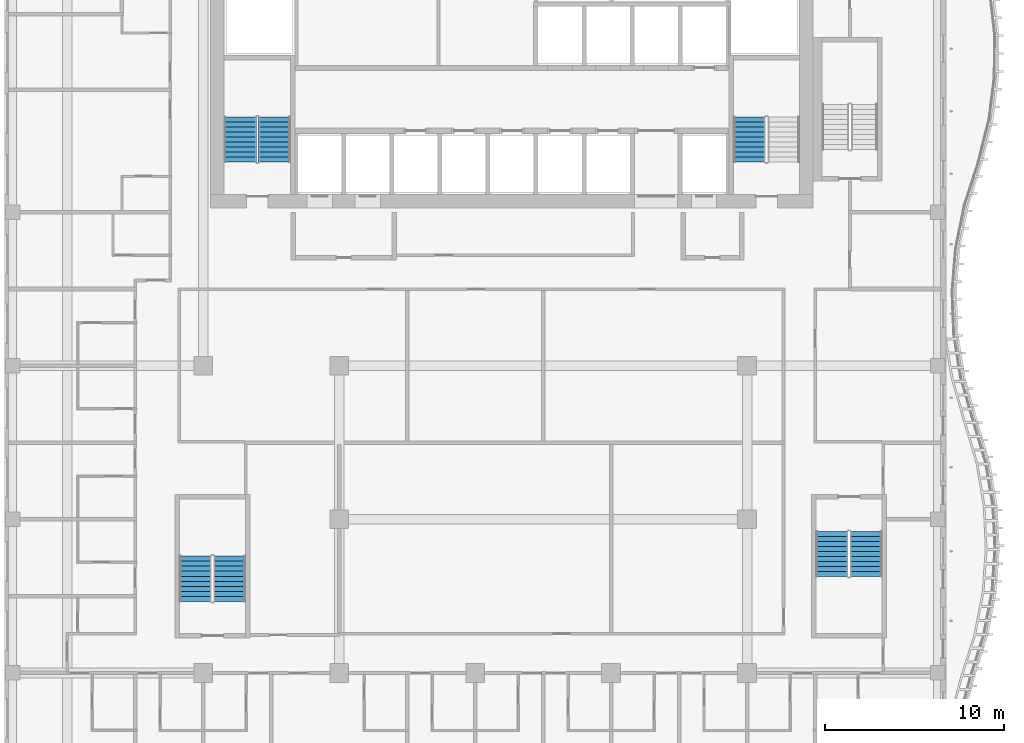
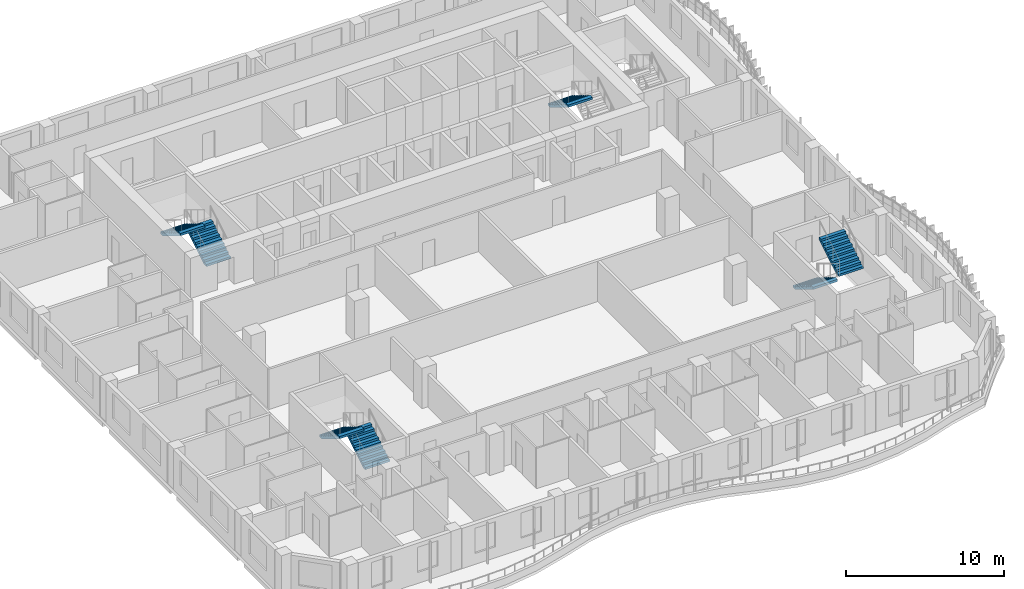
# One storey, part 11 of 22: 7 stair flights, 4 elements without a shape of their own.
"""IFC4 building model written with IfcOpenShell, lengths in metres."""

from ifc_helpers import new_model, si_unit, direction, frame, origin, place, context, subcontext, project, spatial, triangles, source, transform, mapped, material, type_object, element, aggregate, save


model = new_model("IFC4")

# Units and contexts
model_context = context("Model", 3, precision=1e-05, world=origin(), true_north=direction((0.0, 1.0)))
body_context = subcontext(model_context, "Body", "Model", "MODEL_VIEW")
ifc_project = project(units=[si_unit("LENGTHUNIT", "METRE"), si_unit("AREAUNIT", "SQUARE_METRE"), si_unit("VOLUMEUNIT", "CUBIC_METRE"), si_unit("PLANEANGLEUNIT", "RADIAN"), si_unit("MASSUNIT", "GRAM", prefix="KILO")], contexts=[model_context])

# Site, building, storey
site_placement = place(None, origin())
site = spatial("IfcSite", under=ifc_project, at=site_placement, CompositionType="ELEMENT")
building_placement = place(site_placement, origin())
building = spatial("IfcBuilding", under=site, at=building_placement, Name="Kilnfold Tower and Market Hall", CompositionType="ELEMENT")
storey_placement = place(building_placement, frame((0.0, 0.0, 188.89990234375)))
storey = spatial("IfcBuildingStorey", under=building, at=storey_placement, Name="L45", CompositionType="ELEMENT", Elevation=188.89990234375)

# Stair, stair flights
ifc_material_1 = material(Name="Concrete C40/50", Category="concrete")
stair_type = type_object("IfcStairType", Name="CORE STAIR 1800", PredefinedType="HALF_TURN_STAIR", material=ifc_material_1)
stair_1_placement = place(storey_placement, origin())
stair_1 = element("IfcStair", 1, at=stair_1_placement, inside=storey, type_object=stair_type, Name="L45 ST1", PredefinedType="HALF_TURN_STAIR")
ifc_material_2 = material(Name="Concrete C40/50", Category="concrete")
stair_flight_type = type_object("IfcStairFlightType", Name="CORE STAIR FLIGHT 1800", PredefinedType="STRAIGHT", material=ifc_material_2)
shared_shape = source(origin(), body_context, "Body", "Tessellation", [
    triangles([(0.0, 0.89990234375, 0.0), (0.0, 0.78759765625, 0.0), (0.0, 0.675048828125, 0.0), (0.0, 0.5625, 0.0), (0.0, 0.449951171875, 0.0), (0.0, 0.33740234375, 0.0), (0.0, 0.22509765625, 0.0), (0.0, 0.112548828125, 0.0), (0.0, 0.0, 0.0), (0.0, -0.112548828125, 0.0), (0.0, -0.22509765625, 0.0), (0.0, -0.33740234375, 0.0), (0.0, -0.449951171875, 0.0), (0.0, -0.5625, 0.0), (0.0, -0.675048828125, 0.0), (0.0, -0.78759765625, 0.0), (0.0, -0.89990234375, 0.0), (0.0, 0.89990234375, 0.169921875), (0.0, 0.78759765625, 0.169921875), (0.0, 0.675048828125, 0.169921875), (0.0, 0.5625, 0.169921875), (0.0, 0.449951171875, 0.169921875), (0.0, 0.33740234375, 0.169921875), (0.0, 0.22509765625, 0.169921875), (0.0, 0.112548828125, 0.169921875), (0.0, 0.0, 0.169921875), (0.0, -0.112548828125, 0.169921875), (0.0, -0.22509765625, 0.169921875), (0.0, -0.33740234375, 0.169921875), (0.0, -0.449951171875, 0.169921875), (0.0, -0.5625, 0.169921875), (0.0, -0.675048828125, 0.169921875), (0.0, -0.78759765625, 0.169921875), (0.0, -0.89990234375, 0.169921875), (0.280029296875, 0.89990234375, 0.169921875), (0.280029296875, 0.78759765625, 0.169921875), (0.280029296875, 0.675048828125, 0.169921875), (0.280029296875, 0.5625, 0.169921875), (0.280029296875, 0.449951171875, 0.169921875), (0.280029296875, 0.33740234375, 0.169921875), (0.280029296875, 0.22509765625, 0.169921875), (0.280029296875, 0.112548828125, 0.169921875), (0.280029296875, 0.0, 0.169921875), (0.280029296875, -0.112548828125, 0.169921875), (0.280029296875, -0.22509765625, 0.169921875), (0.280029296875, -0.33740234375, 0.169921875), (0.280029296875, -0.449951171875, 0.169921875), (0.280029296875, -0.5625, 0.169921875), (0.280029296875, -0.675048828125, 0.169921875), (0.280029296875, -0.78759765625, 0.169921875), (0.280029296875, -0.89990234375, 0.169921875), (0.280029296875, 0.89990234375, 0.340087890625), (0.280029296875, 0.78759765625, 0.340087890625), (0.280029296875, 0.675048828125, 0.340087890625), (0.280029296875, 0.5625, 0.340087890625), (0.280029296875, 0.449951171875, 0.340087890625), (0.280029296875, 0.33740234375, 0.340087890625), (0.280029296875, 0.22509765625, 0.340087890625), (0.280029296875, 0.112548828125, 0.340087890625), (0.280029296875, 0.0, 0.340087890625), (0.280029296875, -0.112548828125, 0.340087890625), (0.280029296875, -0.22509765625, 0.340087890625), (0.280029296875, -0.33740234375, 0.340087890625), (0.280029296875, -0.449951171875, 0.340087890625), (0.280029296875, -0.5625, 0.340087890625), (0.280029296875, -0.675048828125, 0.340087890625), (0.280029296875, -0.78759765625, 0.340087890625), (0.280029296875, -0.89990234375, 0.340087890625), (0.56005859375, 0.89990234375, 0.340087890625), (0.56005859375, 0.78759765625, 0.340087890625), (0.56005859375, 0.675048828125, 0.340087890625), (0.56005859375, 0.5625, 0.340087890625), (0.56005859375, 0.449951171875, 0.340087890625), (0.56005859375, 0.33740234375, 0.340087890625), (0.56005859375, 0.22509765625, 0.340087890625), (0.56005859375, 0.112548828125, 0.340087890625), (0.56005859375, 0.0, 0.340087890625), (0.56005859375, -0.112548828125, 0.340087890625), (0.56005859375, -0.22509765625, 0.340087890625), (0.56005859375, -0.33740234375, 0.340087890625), (0.56005859375, -0.449951171875, 0.340087890625), (0.56005859375, -0.5625, 0.340087890625), (0.56005859375, -0.675048828125, 0.340087890625), (0.56005859375, -0.78759765625, 0.340087890625), (0.56005859375, -0.89990234375, 0.340087890625), (0.56005859375, 0.89990234375, 0.510009765625), (0.56005859375, 0.78759765625, 0.510009765625), (0.56005859375, 0.675048828125, 0.510009765625), (0.56005859375, 0.5625, 0.510009765625), (0.56005859375, 0.449951171875, 0.510009765625), (0.56005859375, 0.33740234375, 0.510009765625), (0.56005859375, 0.22509765625, 0.510009765625), (0.56005859375, 0.112548828125, 0.510009765625), (0.56005859375, 0.0, 0.510009765625), (0.56005859375, -0.112548828125, 0.510009765625), (0.56005859375, -0.22509765625, 0.510009765625), (0.56005859375, -0.33740234375, 0.510009765625), (0.56005859375, -0.449951171875, 0.510009765625), (0.56005859375, -0.5625, 0.510009765625), (0.56005859375, -0.675048828125, 0.510009765625), (0.56005859375, -0.78759765625, 0.510009765625), (0.56005859375, -0.89990234375, 0.510009765625), (0.840087890625, 0.89990234375, 0.510009765625), (0.840087890625, 0.78759765625, 0.510009765625), (0.840087890625, 0.675048828125, 0.510009765625), (0.840087890625, 0.5625, 0.510009765625), (0.840087890625, 0.449951171875, 0.510009765625), (0.840087890625, 0.33740234375, 0.510009765625), (0.840087890625, 0.22509765625, 0.510009765625), (0.840087890625, 0.112548828125, 0.510009765625), (0.840087890625, 0.0, 0.510009765625), (0.840087890625, -0.112548828125, 0.510009765625), (0.840087890625, -0.22509765625, 0.510009765625), (0.840087890625, -0.33740234375, 0.510009765625), (0.840087890625, -0.449951171875, 0.510009765625), (0.840087890625, -0.5625, 0.510009765625), (0.840087890625, -0.675048828125, 0.510009765625), (0.840087890625, -0.78759765625, 0.510009765625), (0.840087890625, -0.89990234375, 0.510009765625), (0.840087890625, 0.89990234375, 0.679931640625), (0.840087890625, 0.78759765625, 0.679931640625), (0.840087890625, 0.675048828125, 0.679931640625), (0.840087890625, 0.5625, 0.679931640625), (0.840087890625, 0.449951171875, 0.679931640625), (0.840087890625, 0.33740234375, 0.679931640625), (0.840087890625, 0.22509765625, 0.679931640625), (0.840087890625, 0.112548828125, 0.679931640625), (0.840087890625, 0.0, 0.679931640625), (0.840087890625, -0.112548828125, 0.679931640625), (0.840087890625, -0.22509765625, 0.679931640625), (0.840087890625, -0.33740234375, 0.679931640625), (0.840087890625, -0.449951171875, 0.679931640625), (0.840087890625, -0.5625, 0.679931640625), (0.840087890625, -0.675048828125, 0.679931640625), (0.840087890625, -0.78759765625, 0.679931640625), (0.840087890625, -0.89990234375, 0.679931640625), (1.1201171875, 0.89990234375, 0.679931640625), (1.1201171875, 0.78759765625, 0.679931640625), (1.1201171875, 0.675048828125, 0.679931640625), (1.1201171875, 0.5625, 0.679931640625), (1.1201171875, 0.449951171875, 0.679931640625), (1.1201171875, 0.33740234375, 0.679931640625), (1.1201171875, 0.22509765625, 0.679931640625), (1.1201171875, 0.112548828125, 0.679931640625), (1.1201171875, 0.0, 0.679931640625), (1.1201171875, -0.112548828125, 0.679931640625), (1.1201171875, -0.22509765625, 0.679931640625), (1.1201171875, -0.33740234375, 0.679931640625), (1.1201171875, -0.449951171875, 0.679931640625), (1.1201171875, -0.5625, 0.679931640625), (1.1201171875, -0.675048828125, 0.679931640625), (1.1201171875, -0.78759765625, 0.679931640625), (1.1201171875, -0.89990234375, 0.679931640625), (1.1201171875, 0.89990234375, 0.85009765625), (1.1201171875, 0.78759765625, 0.85009765625), (1.1201171875, 0.675048828125, 0.85009765625), (1.1201171875, 0.5625, 0.85009765625), (1.1201171875, 0.449951171875, 0.85009765625), (1.1201171875, 0.33740234375, 0.85009765625), (1.1201171875, 0.22509765625, 0.85009765625), (1.1201171875, 0.112548828125, 0.85009765625), (1.1201171875, 0.0, 0.85009765625), (1.1201171875, -0.112548828125, 0.85009765625), (1.1201171875, -0.22509765625, 0.85009765625), (1.1201171875, -0.33740234375, 0.85009765625), (1.1201171875, -0.449951171875, 0.85009765625), (1.1201171875, -0.5625, 0.85009765625), (1.1201171875, -0.675048828125, 0.85009765625), (1.1201171875, -0.78759765625, 0.85009765625), (1.1201171875, -0.89990234375, 0.85009765625), (1.39990234375, 0.89990234375, 0.85009765625), (1.39990234375, 0.78759765625, 0.85009765625), (1.39990234375, 0.675048828125, 0.85009765625), (1.39990234375, 0.5625, 0.85009765625), (1.39990234375, 0.449951171875, 0.85009765625), (1.39990234375, 0.33740234375, 0.85009765625), (1.39990234375, 0.22509765625, 0.85009765625), (1.39990234375, 0.112548828125, 0.85009765625), (1.39990234375, 0.0, 0.85009765625), (1.39990234375, -0.112548828125, 0.85009765625), (1.39990234375, -0.22509765625, 0.85009765625), (1.39990234375, -0.33740234375, 0.85009765625), (1.39990234375, -0.449951171875, 0.85009765625), (1.39990234375, -0.5625, 0.85009765625), (1.39990234375, -0.675048828125, 0.85009765625), (1.39990234375, -0.78759765625, 0.85009765625), (1.39990234375, -0.89990234375, 0.85009765625), (1.39990234375, 0.89990234375, 1.02001953125), (1.39990234375, 0.78759765625, 1.02001953125), (1.39990234375, 0.675048828125, 1.02001953125), (1.39990234375, 0.5625, 1.02001953125), (1.39990234375, 0.449951171875, 1.02001953125), (1.39990234375, 0.33740234375, 1.02001953125), (1.39990234375, 0.22509765625, 1.02001953125), (1.39990234375, 0.112548828125, 1.02001953125), (1.39990234375, 0.0, 1.02001953125), (1.39990234375, -0.112548828125, 1.02001953125), (1.39990234375, -0.22509765625, 1.02001953125), (1.39990234375, -0.33740234375, 1.02001953125), (1.39990234375, -0.449951171875, 1.02001953125), (1.39990234375, -0.5625, 1.02001953125), (1.39990234375, -0.675048828125, 1.02001953125), (1.39990234375, -0.78759765625, 1.02001953125), (1.39990234375, -0.89990234375, 1.02001953125), (1.679931640625, 0.89990234375, 1.02001953125), (1.679931640625, 0.78759765625, 1.02001953125), (1.679931640625, 0.675048828125, 1.02001953125), (1.679931640625, 0.5625, 1.02001953125), (1.679931640625, 0.449951171875, 1.02001953125), (1.679931640625, 0.33740234375, 1.02001953125), (1.679931640625, 0.22509765625, 1.02001953125), (1.679931640625, 0.112548828125, 1.02001953125), (1.679931640625, 0.0, 1.02001953125), (1.679931640625, -0.112548828125, 1.02001953125), (1.679931640625, -0.22509765625, 1.02001953125), (1.679931640625, -0.33740234375, 1.02001953125), (1.679931640625, -0.449951171875, 1.02001953125), (1.679931640625, -0.5625, 1.02001953125), (1.679931640625, -0.675048828125, 1.02001953125), (1.679931640625, -0.78759765625, 1.02001953125), (1.679931640625, -0.89990234375, 1.02001953125), (1.679931640625, 0.89990234375, 1.18994140625), (1.679931640625, 0.78759765625, 1.18994140625), (1.679931640625, 0.675048828125, 1.18994140625), (1.679931640625, 0.5625, 1.18994140625), (1.679931640625, 0.449951171875, 1.18994140625), (1.679931640625, 0.33740234375, 1.18994140625), (1.679931640625, 0.22509765625, 1.18994140625), (1.679931640625, 0.112548828125, 1.18994140625), (1.679931640625, 0.0, 1.18994140625), (1.679931640625, -0.112548828125, 1.18994140625), (1.679931640625, -0.22509765625, 1.18994140625), (1.679931640625, -0.33740234375, 1.18994140625), (1.679931640625, -0.449951171875, 1.18994140625), (1.679931640625, -0.5625, 1.18994140625), (1.679931640625, -0.675048828125, 1.18994140625), (1.679931640625, -0.78759765625, 1.18994140625), (1.679931640625, -0.89990234375, 1.18994140625), (1.9599609375, 0.89990234375, 1.18994140625), (1.9599609375, 0.78759765625, 1.18994140625), (1.9599609375, 0.675048828125, 1.18994140625), (1.9599609375, 0.5625, 1.18994140625), (1.9599609375, 0.449951171875, 1.18994140625), (1.9599609375, 0.33740234375, 1.18994140625), (1.9599609375, 0.22509765625, 1.18994140625), (1.9599609375, 0.112548828125, 1.18994140625), (1.9599609375, 0.0, 1.18994140625), (1.9599609375, -0.112548828125, 1.18994140625), (1.9599609375, -0.22509765625, 1.18994140625), (1.9599609375, -0.33740234375, 1.18994140625), (1.9599609375, -0.449951171875, 1.18994140625), (1.9599609375, -0.5625, 1.18994140625), (1.9599609375, -0.675048828125, 1.18994140625), (1.9599609375, -0.78759765625, 1.18994140625), (1.9599609375, -0.89990234375, 1.18994140625), (1.9599609375, 0.89990234375, 1.360107421875), (1.9599609375, 0.78759765625, 1.360107421875), (1.9599609375, 0.675048828125, 1.360107421875), (1.9599609375, 0.5625, 1.360107421875), (1.9599609375, 0.449951171875, 1.360107421875), (1.9599609375, 0.33740234375, 1.360107421875), (1.9599609375, 0.22509765625, 1.360107421875), (1.9599609375, 0.112548828125, 1.360107421875), (1.9599609375, 0.0, 1.360107421875), (1.9599609375, -0.112548828125, 1.360107421875), (1.9599609375, -0.22509765625, 1.360107421875), (1.9599609375, -0.33740234375, 1.360107421875), (1.9599609375, -0.449951171875, 1.360107421875), (1.9599609375, -0.5625, 1.360107421875), (1.9599609375, -0.675048828125, 1.360107421875), (1.9599609375, -0.78759765625, 1.360107421875), (1.9599609375, -0.89990234375, 1.360107421875), (2.239990234375, 0.89990234375, 1.360107421875), (2.239990234375, 0.78759765625, 1.360107421875), (2.239990234375, 0.675048828125, 1.360107421875), (2.239990234375, 0.5625, 1.360107421875), (2.239990234375, 0.449951171875, 1.360107421875), (2.239990234375, 0.33740234375, 1.360107421875), (2.239990234375, 0.22509765625, 1.360107421875), (2.239990234375, 0.112548828125, 1.360107421875), (2.239990234375, 0.0, 1.360107421875), (2.239990234375, -0.112548828125, 1.360107421875), (2.239990234375, -0.22509765625, 1.360107421875), (2.239990234375, -0.33740234375, 1.360107421875), (2.239990234375, -0.449951171875, 1.360107421875), (2.239990234375, -0.5625, 1.360107421875), (2.239990234375, -0.675048828125, 1.360107421875), (2.239990234375, -0.78759765625, 1.360107421875), (2.239990234375, -0.89990234375, 1.360107421875), (2.239990234375, 0.89990234375, 1.530029296875), (2.239990234375, 0.78759765625, 1.530029296875), (2.239990234375, 0.675048828125, 1.530029296875), (2.239990234375, 0.5625, 1.530029296875), (2.239990234375, 0.449951171875, 1.530029296875), (2.239990234375, 0.33740234375, 1.530029296875), (2.239990234375, 0.22509765625, 1.530029296875), (2.239990234375, 0.112548828125, 1.530029296875), (2.239990234375, 0.0, 1.530029296875), (2.239990234375, -0.112548828125, 1.530029296875), (2.239990234375, -0.22509765625, 1.530029296875), (2.239990234375, -0.33740234375, 1.530029296875), (2.239990234375, -0.449951171875, 1.530029296875), (2.239990234375, -0.5625, 1.530029296875), (2.239990234375, -0.675048828125, 1.530029296875), (2.239990234375, -0.78759765625, 1.530029296875), (2.239990234375, -0.89990234375, 1.530029296875), (2.52001953125, 0.89990234375, 1.530029296875), (2.52001953125, 0.78759765625, 1.530029296875), (2.52001953125, 0.675048828125, 1.530029296875), (2.52001953125, 0.5625, 1.530029296875), (2.52001953125, 0.449951171875, 1.530029296875), (2.52001953125, 0.33740234375, 1.530029296875), (2.52001953125, 0.22509765625, 1.530029296875), (2.52001953125, 0.112548828125, 1.530029296875), (2.52001953125, 0.0, 1.530029296875), (2.52001953125, -0.112548828125, 1.530029296875), (2.52001953125, -0.22509765625, 1.530029296875), (2.52001953125, -0.33740234375, 1.530029296875), (2.52001953125, -0.449951171875, 1.530029296875), (2.52001953125, -0.5625, 1.530029296875), (2.52001953125, -0.675048828125, 1.530029296875), (2.52001953125, -0.78759765625, 1.530029296875), (2.52001953125, -0.89990234375, 1.530029296875), (2.52001953125, 0.89990234375, 1.354736328125), (2.52001953125, 0.78759765625, 1.354736328125), (2.52001953125, 0.675048828125, 1.354736328125), (2.52001953125, 0.5625, 1.354736328125), (2.52001953125, 0.449951171875, 1.354736328125), (2.52001953125, 0.33740234375, 1.354736328125), (2.52001953125, 0.22509765625, 1.354736328125), (2.52001953125, 0.112548828125, 1.354736328125), (2.52001953125, 0.0, 1.354736328125), (2.52001953125, -0.112548828125, 1.354736328125), (2.52001953125, -0.22509765625, 1.354736328125), (2.52001953125, -0.33740234375, 1.354736328125), (2.52001953125, -0.449951171875, 1.354736328125), (2.52001953125, -0.5625, 1.354736328125), (2.52001953125, -0.675048828125, 1.354736328125), (2.52001953125, -0.78759765625, 1.354736328125), (2.52001953125, -0.89990234375, 1.354736328125), (0.288818359375, 0.89990234375, 0.0), (0.288818359375, 0.78759765625, 0.0), (0.288818359375, 0.675048828125, 0.0), (0.288818359375, 0.5625, 0.0), (0.288818359375, 0.449951171875, 0.0), (0.288818359375, 0.33740234375, 0.0), (0.288818359375, 0.22509765625, 0.0), (0.288818359375, 0.112548828125, 0.0), (0.288818359375, 0.0, 0.0), (0.288818359375, -0.112548828125, 0.0), (0.288818359375, -0.22509765625, 0.0), (0.288818359375, -0.33740234375, 0.0), (0.288818359375, -0.449951171875, 0.0), (0.288818359375, -0.5625, 0.0), (0.288818359375, -0.675048828125, 0.0), (0.288818359375, -0.78759765625, 0.0), (0.288818359375, -0.89990234375, 0.0)], [[1, 324, 341], [17, 357, 340], [324, 290, 307], [340, 323, 306], [324, 273, 290], [340, 306, 289], [324, 256, 273], [340, 289, 272], [324, 239, 256], [340, 272, 255], [239, 205, 222], [255, 238, 221], [324, 205, 239], [340, 255, 221], [205, 171, 188], [221, 204, 187], [324, 171, 205], [340, 221, 187], [171, 137, 154], [187, 170, 153], [324, 137, 171], [340, 187, 153], [137, 103, 120], [153, 136, 119], [324, 103, 137], [340, 153, 119], [103, 69, 86], [119, 102, 85], [324, 69, 103], [340, 119, 85], [69, 35, 52], [85, 68, 51], [324, 35, 69], [340, 85, 51], [1, 35, 324], [17, 340, 51], [35, 1, 18], [51, 34, 17], [1, 19, 18], [1, 2, 19], [2, 20, 19], [2, 3, 20], [3, 21, 20], [3, 4, 21], [4, 22, 21], [4, 5, 22], [5, 23, 22], [5, 6, 23], [6, 24, 23], [6, 7, 24], [7, 25, 24], [7, 8, 25], [8, 26, 25], [8, 9, 26], [9, 27, 26], [9, 10, 27], [10, 28, 27], [10, 11, 28], [11, 29, 28], [11, 12, 29], [12, 30, 29], [12, 13, 30], [13, 31, 30], [13, 14, 31], [14, 32, 31], [14, 15, 32], [15, 33, 32], [15, 16, 33], [16, 34, 33], [16, 17, 34], [18, 36, 35], [18, 19, 36], [19, 37, 36], [19, 20, 37], [20, 38, 37], [20, 21, 38], [21, 39, 38], [21, 22, 39], [22, 40, 39], [22, 23, 40], [23, 41, 40], [23, 24, 41], [24, 42, 41], [24, 25, 42], [25, 43, 42], [25, 26, 43], [26, 44, 43], [26, 27, 44], [27, 45, 44], [27, 28, 45], [28, 46, 45], [28, 29, 46], [29, 47, 46], [29, 30, 47], [30, 48, 47], [30, 31, 48], [31, 49, 48], [31, 32, 49], [32, 50, 49], [32, 33, 50], [33, 51, 50], [33, 34, 51], [35, 53, 52], [35, 36, 53], [36, 54, 53], [36, 37, 54], [37, 55, 54], [37, 38, 55], [38, 56, 55], [38, 39, 56], [39, 57, 56], [39, 40, 57], [40, 58, 57], [40, 41, 58], [41, 59, 58], [41, 42, 59], [42, 60, 59], [42, 43, 60], [43, 61, 60], [43, 44, 61], [44, 62, 61], [44, 45, 62], [45, 63, 62], [45, 46, 63], [46, 64, 63], [46, 47, 64], [47, 65, 64], [47, 48, 65], [48, 66, 65], [48, 49, 66], [49, 67, 66], [49, 50, 67], [50, 68, 67], [50, 51, 68], [52, 70, 69], [52, 53, 70], [53, 71, 70], [53, 54, 71], [54, 72, 71], [54, 55, 72], [55, 73, 72], [55, 56, 73], [56, 74, 73], [56, 57, 74], [57, 75, 74], [57, 58, 75], [58, 76, 75], [58, 59, 76], [59, 77, 76], [59, 60, 77], [60, 78, 77], [60, 61, 78], [61, 79, 78], [61, 62, 79], [62, 80, 79], [62, 63, 80], [63, 81, 80], [63, 64, 81], [64, 82, 81], [64, 65, 82], [65, 83, 82], [65, 66, 83], [66, 84, 83], [66, 67, 84], [67, 85, 84], [67, 68, 85], [69, 87, 86], [69, 70, 87], [70, 88, 87], [70, 71, 88], [71, 89, 88], [71, 72, 89], [72, 90, 89], [72, 73, 90], [73, 91, 90], [73, 74, 91], [74, 92, 91], [74, 75, 92], [75, 93, 92], [75, 76, 93], [76, 94, 93], [76, 77, 94], [77, 95, 94], [77, 78, 95], [78, 96, 95], [78, 79, 96], [79, 97, 96], [79, 80, 97], [80, 98, 97], [80, 81, 98], [81, 99, 98], [81, 82, 99], [82, 100, 99], [82, 83, 100], [83, 101, 100], [83, 84, 101], [84, 102, 101], [84, 85, 102], [86, 104, 103], [86, 87, 104], [87, 105, 104], [87, 88, 105], [88, 106, 105], [88, 89, 106], [89, 107, 106], [89, 90, 107], [90, 108, 107], [90, 91, 108], [91, 109, 108], [91, 92, 109], [92, 110, 109], [92, 93, 110], [93, 111, 110], [93, 94, 111], [94, 112, 111], [94, 95, 112], [95, 113, 112], [95, 96, 113], [96, 114, 113], [96, 97, 114], [97, 115, 114], [97, 98, 115], [98, 116, 115], [98, 99, 116], [99, 117, 116], [99, 100, 117], [100, 118, 117], [100, 101, 118], [101, 119, 118], [101, 102, 119], [103, 121, 120], [103, 104, 121], [104, 122, 121], [104, 105, 122], [105, 123, 122], [105, 106, 123], [106, 124, 123], [106, 107, 124], [107, 125, 124], [107, 108, 125], [108, 126, 125], [108, 109, 126], [109, 127, 126], [109, 110, 127], [110, 128, 127], [110, 111, 128], [111, 129, 128], [111, 112, 129], [112, 130, 129], [112, 113, 130], [113, 131, 130], [113, 114, 131], [114, 132, 131], [114, 115, 132], [115, 133, 132], [115, 116, 133], [116, 134, 133], [116, 117, 134], [117, 135, 134], [117, 118, 135], [118, 136, 135], [118, 119, 136], [120, 138, 137], [120, 121, 138], [121, 139, 138], [121, 122, 139], [122, 140, 139], [122, 123, 140], [123, 141, 140], [123, 124, 141], [124, 142, 141], [124, 125, 142], [125, 143, 142], [125, 126, 143], [126, 144, 143], [126, 127, 144], [127, 145, 144], [127, 128, 145], [128, 146, 145], [128, 129, 146], [129, 147, 146], [129, 130, 147], [130, 148, 147], [130, 131, 148], [131, 149, 148], [131, 132, 149], [132, 150, 149], [132, 133, 150], [133, 151, 150], [133, 134, 151], [134, 152, 151], [134, 135, 152], [135, 153, 152], [135, 136, 153], [137, 155, 154], [137, 138, 155], [138, 156, 155], [138, 139, 156], [139, 157, 156], [139, 140, 157], [140, 158, 157], [140, 141, 158], [141, 159, 158], [141, 142, 159], [142, 160, 159], [142, 143, 160], [143, 161, 160], [143, 144, 161], [144, 162, 161], [144, 145, 162], [145, 163, 162], [145, 146, 163], [146, 164, 163], [146, 147, 164], [147, 165, 164], [147, 148, 165], [148, 166, 165], [148, 149, 166], [149, 167, 166], [149, 150, 167], [150, 168, 167], [150, 151, 168], [151, 169, 168], [151, 152, 169], [152, 170, 169], [152, 153, 170], [154, 172, 171], [154, 155, 172], [155, 173, 172], [155, 156, 173], [156, 174, 173], [156, 157, 174], [157, 175, 174], [157, 158, 175], [158, 176, 175], [158, 159, 176], [159, 177, 176], [159, 160, 177], [160, 178, 177], [160, 161, 178], [161, 179, 178], [161, 162, 179], [162, 180, 179], [162, 163, 180], [163, 181, 180], [163, 164, 181], [164, 182, 181], [164, 165, 182], [165, 183, 182], [165, 166, 183], [166, 184, 183], [166, 167, 184], [167, 185, 184], [167, 168, 185], [168, 186, 185], [168, 169, 186], [169, 187, 186], [169, 170, 187], [171, 189, 188], [171, 172, 189], [172, 190, 189], [172, 173, 190], [173, 191, 190], [173, 174, 191], [174, 192, 191], [174, 175, 192], [175, 193, 192], [175, 176, 193], [176, 194, 193], [176, 177, 194], [177, 195, 194], [177, 178, 195], [178, 196, 195], [178, 179, 196], [179, 197, 196], [179, 180, 197], [180, 198, 197], [180, 181, 198], [181, 199, 198], [181, 182, 199], [182, 200, 199], [182, 183, 200], [183, 201, 200], [183, 184, 201], [184, 202, 201], [184, 185, 202], [185, 203, 202], [185, 186, 203], [186, 204, 203], [186, 187, 204], [188, 206, 205], [188, 189, 206], [189, 207, 206], [189, 190, 207], [190, 208, 207], [190, 191, 208], [191, 209, 208], [191, 192, 209], [192, 210, 209], [192, 193, 210], [193, 211, 210], [193, 194, 211], [194, 212, 211], [194, 195, 212], [195, 213, 212], [195, 196, 213], [196, 214, 213], [196, 197, 214], [197, 215, 214], [197, 198, 215], [198, 216, 215], [198, 199, 216], [199, 217, 216], [199, 200, 217], [200, 218, 217], [200, 201, 218], [201, 219, 218], [201, 202, 219], [202, 220, 219], [202, 203, 220], [203, 221, 220], [203, 204, 221], [205, 223, 222], [205, 206, 223], [206, 224, 223], [206, 207, 224], [207, 225, 224], [207, 208, 225], [208, 226, 225], [208, 209, 226], [209, 227, 226], [209, 210, 227], [210, 228, 227], [210, 211, 228], [211, 229, 228], [211, 212, 229], [212, 230, 229], [212, 213, 230], [213, 231, 230], [213, 214, 231], [214, 232, 231], [214, 215, 232], [215, 233, 232], [215, 216, 233], [216, 234, 233], [216, 217, 234], [217, 235, 234], [217, 218, 235], [218, 236, 235], [218, 219, 236], [219, 237, 236], [219, 220, 237], [220, 238, 237], [220, 221, 238], [222, 240, 239], [222, 223, 240], [223, 241, 240], [223, 224, 241], [224, 242, 241], [224, 225, 242], [225, 243, 242], [225, 226, 243], [226, 244, 243], [226, 227, 244], [227, 245, 244], [227, 228, 245], [228, 246, 245], [228, 229, 246], [229, 247, 246], [229, 230, 247], [230, 248, 247], [230, 231, 248], [231, 249, 248], [231, 232, 249], [232, 250, 249], [232, 233, 250], [233, 251, 250], [233, 234, 251], [234, 252, 251], [234, 235, 252], [235, 253, 252], [235, 236, 253], [236, 254, 253], [236, 237, 254], [237, 255, 254], [237, 238, 255], [239, 257, 256], [239, 240, 257], [240, 258, 257], [240, 241, 258], [241, 259, 258], [241, 242, 259], [242, 260, 259], [242, 243, 260], [243, 261, 260], [243, 244, 261], [244, 262, 261], [244, 245, 262], [245, 263, 262], [245, 246, 263], [246, 264, 263], [246, 247, 264], [247, 265, 264], [247, 248, 265], [248, 266, 265], [248, 249, 266], [249, 267, 266], [249, 250, 267], [250, 268, 267], [250, 251, 268], [251, 269, 268], [251, 252, 269], [252, 270, 269], [252, 253, 270], [253, 271, 270], [253, 254, 271], [254, 272, 271], [254, 255, 272], [256, 274, 273], [256, 257, 274], [257, 275, 274], [257, 258, 275], [258, 276, 275], [258, 259, 276], [259, 277, 276], [259, 260, 277], [260, 278, 277], [260, 261, 278], [261, 279, 278], [261, 262, 279], [262, 280, 279], [262, 263, 280], [263, 281, 280], [263, 264, 281], [264, 282, 281], [264, 265, 282], [265, 283, 282], [265, 266, 283], [266, 284, 283], [266, 267, 284], [267, 285, 284], [267, 268, 285], [268, 286, 285], [268, 269, 286], [269, 287, 286], [269, 270, 287], [270, 288, 287], [270, 271, 288], [271, 289, 288], [271, 272, 289], [273, 291, 290], [273, 274, 291], [274, 292, 291], [274, 275, 292], [275, 293, 292], [275, 276, 293], [276, 294, 293], [276, 277, 294], [277, 295, 294], [277, 278, 295], [278, 296, 295], [278, 279, 296], [279, 297, 296], [279, 280, 297], [280, 298, 297], [280, 281, 298], [281, 299, 298], [281, 282, 299], [282, 300, 299], [282, 283, 300], [283, 301, 300], [283, 284, 301], [284, 302, 301], [284, 285, 302], [285, 303, 302], [285, 286, 303], [286, 304, 303], [286, 287, 304], [287, 305, 304], [287, 288, 305], [288, 306, 305], [288, 289, 306], [290, 308, 307], [290, 291, 308], [291, 309, 308], [291, 292, 309], [292, 310, 309], [292, 293, 310], [293, 311, 310], [293, 294, 311], [294, 312, 311], [294, 295, 312], [295, 313, 312], [295, 296, 313], [296, 314, 313], [296, 297, 314], [297, 315, 314], [297, 298, 315], [298, 316, 315], [298, 299, 316], [299, 317, 316], [299, 300, 317], [300, 318, 317], [300, 301, 318], [301, 319, 318], [301, 302, 319], [302, 320, 319], [302, 303, 320], [303, 321, 320], [303, 304, 321], [304, 322, 321], [304, 305, 322], [305, 323, 322], [305, 306, 323], [307, 325, 324], [307, 308, 325], [308, 326, 325], [308, 309, 326], [309, 327, 326], [309, 310, 327], [310, 328, 327], [310, 311, 328], [311, 329, 328], [311, 312, 329], [312, 330, 329], [312, 313, 330], [313, 331, 330], [313, 314, 331], [314, 332, 331], [314, 315, 332], [315, 333, 332], [315, 316, 333], [316, 334, 333], [316, 317, 334], [317, 335, 334], [317, 318, 335], [318, 336, 335], [318, 319, 336], [319, 337, 336], [319, 320, 337], [320, 338, 337], [320, 321, 338], [321, 339, 338], [321, 322, 339], [322, 340, 339], [322, 323, 340], [324, 342, 341], [324, 325, 342], [325, 343, 342], [325, 326, 343], [326, 344, 343], [326, 327, 344], [327, 345, 344], [327, 328, 345], [328, 346, 345], [328, 329, 346], [329, 347, 346], [329, 330, 347], [330, 348, 347], [330, 331, 348], [331, 349, 348], [331, 332, 349], [332, 350, 349], [332, 333, 350], [333, 351, 350], [333, 334, 351], [334, 352, 351], [334, 335, 352], [335, 353, 352], [335, 336, 353], [336, 354, 353], [336, 337, 354], [337, 355, 354], [337, 338, 355], [338, 356, 355], [338, 339, 356], [339, 357, 356], [339, 340, 357], [341, 2, 1], [341, 342, 2], [342, 3, 2], [342, 343, 3], [343, 4, 3], [343, 344, 4], [344, 5, 4], [344, 345, 5], [345, 6, 5], [345, 346, 6], [346, 7, 6], [346, 347, 7], [347, 8, 7], [347, 348, 8], [348, 9, 8], [348, 349, 9], [349, 10, 9], [349, 350, 10], [350, 11, 10], [350, 351, 11], [351, 12, 11], [351, 352, 12], [352, 13, 12], [352, 353, 13], [353, 14, 13], [353, 354, 14], [354, 15, 14], [354, 355, 15], [355, 16, 15], [355, 356, 16], [356, 17, 16], [356, 357, 17]], closed=True),
])
stair_flight_1_placement = place(storey_placement, frame((-12.199951171875, 10.800048828125, 0.0), z_axis=(0.0, 0.0, 1.0), x_axis=(0.0, 1.0, 0.0)))
stair_flight_1 = element("IfcStairFlight", 2, at=stair_flight_1_placement, type_object=stair_flight_type, Name="ST1 flight 1", NumberOfRisers=10, NumberOfTreads=9, PredefinedType="STRAIGHT", RiserHeight=0.17, TreadLength=0.28, context=body_context, shape_type="MappedRepresentation", body=[
    mapped(shared_shape, transform((0.0, 0.0, 0.0))),
])
stair_flight_2_placement = place(storey_placement, frame((-14.10009765625, 13.320068359375, 1.7001953125), z_axis=(0.0, 0.0, 1.0), x_axis=(0.0, -1.0, 0.0)))
stair_flight_2 = element("IfcStairFlight", 3, at=stair_flight_2_placement, type_object=stair_flight_type, Name="ST1 flight 2", NumberOfRisers=10, NumberOfTreads=9, PredefinedType="STRAIGHT", RiserHeight=0.17, TreadLength=0.28, context=body_context, shape_type="MappedRepresentation", body=[
    mapped(shared_shape, transform((0.0, 0.0, 0.0))),
])
aggregate(stair_1, [stair_flight_1, stair_flight_2])

# Stair, stair flight
stair_2_placement = place(storey_placement, origin())
stair_2 = element("IfcStair", 4, at=stair_2_placement, inside=storey, type_object=stair_type, Name="L45 ST2", PredefinedType="HALF_TURN_STAIR")
stair_flight_3_placement = place(storey_placement, frame((14.300048828125, 13.320068359375, 1.7001953125), z_axis=(0.0, 0.0, 1.0), x_axis=(0.0, -1.0, 0.0)))
stair_flight_3 = element("IfcStairFlight", 5, at=stair_flight_3_placement, type_object=stair_flight_type, Name="ST2 flight 2", NumberOfRisers=10, NumberOfTreads=9, PredefinedType="STRAIGHT", RiserHeight=0.17, TreadLength=0.28, context=body_context, shape_type="MappedRepresentation", body=[
    mapped(shared_shape, transform((0.0, 0.0, 0.0))),
])
aggregate(stair_2, [stair_flight_3])

# Stair, stair flights
stair_3_placement = place(storey_placement, origin())
stair_3 = element("IfcStair", 6, at=stair_3_placement, inside=storey, type_object=stair_type, Name="L45 ST3", PredefinedType="HALF_TURN_STAIR")
stair_flight_4_placement = place(storey_placement, frame((-14.699951171875, -13.699951171875, 0.0), z_axis=(0.0, 0.0, 1.0), x_axis=(0.0, 1.0, 0.0)))
stair_flight_4 = element("IfcStairFlight", 7, at=stair_flight_4_placement, type_object=stair_flight_type, Name="ST3 flight 1", NumberOfRisers=10, NumberOfTreads=9, PredefinedType="STRAIGHT", RiserHeight=0.17, TreadLength=0.28, context=body_context, shape_type="MappedRepresentation", body=[
    mapped(shared_shape, transform((0.0, 0.0, 0.0))),
])
stair_flight_5_placement = place(storey_placement, frame((-16.60009765625, -11.179931640625, 1.7001953125), z_axis=(0.0, 0.0, 1.0), x_axis=(0.0, -1.0, 0.0)))
stair_flight_5 = element("IfcStairFlight", 8, at=stair_flight_5_placement, type_object=stair_flight_type, Name="ST3 flight 2", NumberOfRisers=10, NumberOfTreads=9, PredefinedType="STRAIGHT", RiserHeight=0.17, TreadLength=0.28, context=body_context, shape_type="MappedRepresentation", body=[
    mapped(shared_shape, transform((0.0, 0.0, 0.0))),
])
aggregate(stair_3, [stair_flight_4, stair_flight_5])

stair_4_placement = place(storey_placement, origin())
stair_4 = element("IfcStair", 9, at=stair_4_placement, inside=storey, type_object=stair_type, Name="L45 ST4", PredefinedType="HALF_TURN_STAIR")
stair_flight_6_placement = place(storey_placement, frame((18.89990234375, -9.800048828125, 0.0), z_axis=(0.0, 0.0, 1.0), x_axis=(0.0, -1.0, 0.0)))
stair_flight_6 = element("IfcStairFlight", 10, at=stair_flight_6_placement, type_object=stair_flight_type, Name="ST4 flight 1", NumberOfRisers=10, NumberOfTreads=9, PredefinedType="STRAIGHT", RiserHeight=0.17, TreadLength=0.28, context=body_context, shape_type="MappedRepresentation", body=[
    mapped(shared_shape, transform((0.0, 0.0, 0.0))),
])
stair_flight_7_placement = place(storey_placement, frame((20.800048828125, -12.320068359375, 1.7001953125), z_axis=(0.0, 0.0, 1.0), x_axis=(0.0, 1.0, 0.0)))
stair_flight_7 = element("IfcStairFlight", 11, at=stair_flight_7_placement, type_object=stair_flight_type, Name="ST4 flight 2", NumberOfRisers=10, NumberOfTreads=9, PredefinedType="STRAIGHT", RiserHeight=0.17, TreadLength=0.28, context=body_context, shape_type="MappedRepresentation", body=[
    mapped(shared_shape, transform((0.0, 0.0, 0.0))),
])
aggregate(stair_4, [stair_flight_6, stair_flight_7])

save(model, "model.ifc")
